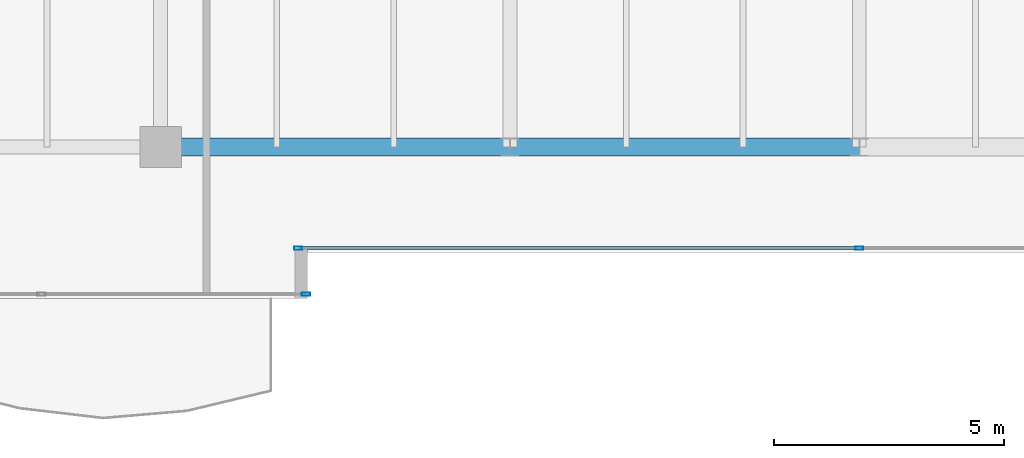
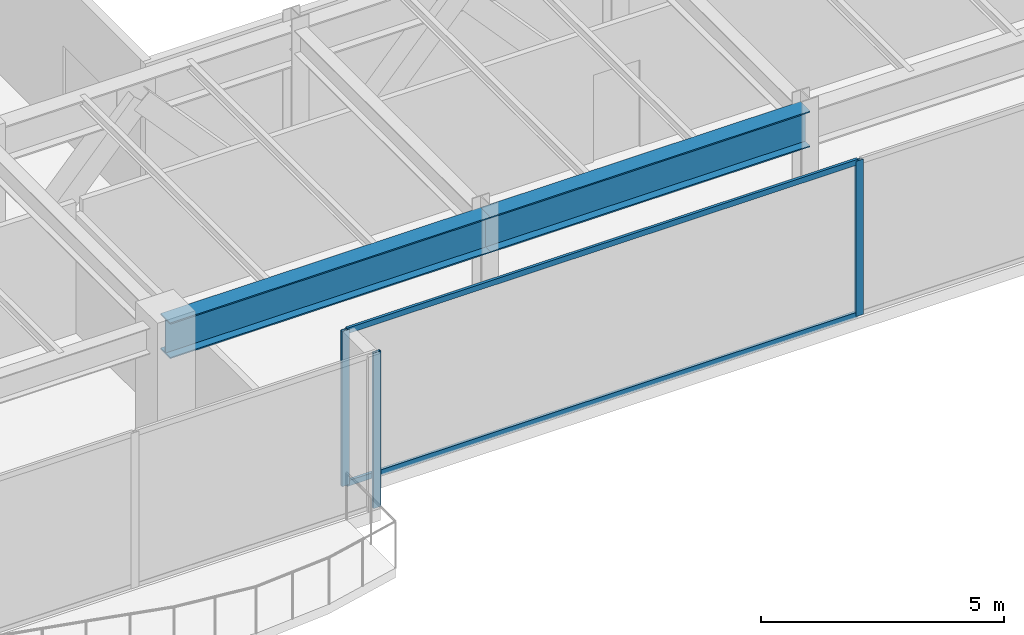
# One storey, part 6 of 31: 5 members, 2 beams, 2 elements without a shape of their own.
"""IFC4 building model written with IfcOpenShell, lengths in metres."""

from ifc_helpers import new_model, si_unit, direction, frame, origin, origin_2d, place, context, subcontext, project, spatial, hollow_rectangle, i_section, extrude, source, transform, mapped, material, layer, layer_set, material_profile, profile_set, type_object, type_shapes, element, aggregate, save


model = new_model("IFC4")

# Units and contexts
model_context = context("Model", 3, precision=1e-05, world=origin(), true_north=direction((0.0, 1.0)))
body_context = subcontext(model_context, "Body", "Model", "MODEL_VIEW")
ifc_project = project(units=[si_unit("LENGTHUNIT", "METRE"), si_unit("AREAUNIT", "SQUARE_METRE"), si_unit("VOLUMEUNIT", "CUBIC_METRE"), si_unit("PLANEANGLEUNIT", "RADIAN"), si_unit("MASSUNIT", "GRAM", prefix="KILO")], contexts=[model_context])

# Site, building, storey
site_placement = place(None, origin())
site = spatial("IfcSite", under=ifc_project, at=site_placement, CompositionType="ELEMENT")
building_placement = place(site_placement, origin())
building = spatial("IfcBuilding", under=site, at=building_placement, Name="Haelvirn Gate Laboratories", CompositionType="ELEMENT")
storey_placement = place(building_placement, frame((0.0, 0.0, 310.199951171875)))
storey = spatial("IfcBuildingStorey", under=building, at=storey_placement, Name="L74", CompositionType="ELEMENT", Elevation=310.199951171875)

# Beams
ifc_material_1 = material(Name="Steel SM420", Category="steel")
ifc_material_profile_1 = material_profile(ifc_material_1, i_section(OverallWidth=0.39990234375, OverallDepth=0.89990234375, WebThickness=0.01904296875, FlangeThickness=0.031982421875, at=origin_2d()), Name="H-900x400x19x32")
ifc_profile_set_1 = profile_set([ifc_material_profile_1], Name="Steel SM420")
beam_type = type_object("IfcBeamType", Name="BM-TG-900", PredefinedType="BEAM", material=ifc_profile_set_1)
shared_shape_1 = source(origin(), body_context, "Body", "SweptSolid", [
    extrude(i_section(OverallWidth=0.39990234375, OverallDepth=0.89990234375, WebThickness=0.01904296875, FlangeThickness=0.031982421875, at=origin_2d()), origin(), (0.0, 0.0, 1.0), 7.60009765625),
])
beam_1_placement = place(storey_placement, frame((22.199951171875, 7.0, 3.449951171875), z_axis=(1.0, 0.0, 0.0), x_axis=(0.0, 1.0, 0.0)))
element("IfcBeam", 1, at=beam_1_placement, inside=storey, type_object=beam_type, Name="L74 Primary Girder Y7.0 (22.2-29.8)", PredefinedType="BEAM", context=body_context, shape_type="MappedRepresentation", body=[
    mapped(shared_shape_1, transform((0.0, 0.0, 0.0), scale=1.0)),
])
shared_shape_2 = source(origin(), body_context, "Body", "SweptSolid", [
    extrude(i_section(OverallWidth=0.39990234375, OverallDepth=0.89990234375, WebThickness=0.01904296875, FlangeThickness=0.031982421875, at=origin_2d()), origin(), (0.0, 0.0, 1.0), 7.599853515625),
])
type_shapes(beam_type, [shared_shape_1, shared_shape_2])
beam_2_placement = place(storey_placement, frame((29.800048828125, 7.0, 3.449951171875), z_axis=(1.0, 0.0, 0.0), x_axis=(0.0, 1.0, 0.0)))
element("IfcBeam", 2, at=beam_2_placement, inside=storey, type_object=beam_type, Name="L74 Primary Girder Y7.0 (29.8-37.4)", PredefinedType="BEAM", context=body_context, shape_type="MappedRepresentation", body=[
    mapped(shared_shape_2, transform((0.0, 0.0, 0.0), scale=1.0)),
])

# Curtain wall, members
ifc_material_2 = material(Name="Anodised bronze unitised aluminium & triple low-E glass", Category="aluminium")
ifc_layer = layer(ifc_material_2, 0.176025390625, Name="CW-SYS-4")
ifc_layer_set = layer_set([ifc_layer], Name="Anodised bronze unitised aluminium & triple low-E glass")
curtain_wall_type = type_object("IfcCurtainWallType", Name="CW-SYS-4", PredefinedType="NOTDEFINED", material=ifc_layer_set)
curtain_wall_1_placement = place(storey_placement, origin())
curtain_wall_1 = element("IfcCurtainWall", 3, at=curtain_wall_1_placement, inside=storey, type_object=curtain_wall_type, Name="L74 Unitised Curtain Wall CW-L74-P0-E02-1", PredefinedType="NOTDEFINED")
ifc_material_3 = material(Name="Extruded aluminium 6063-T6 (anodised bronze)", Category="aluminium")
ifc_material_profile_2 = material_profile(ifc_material_3, hollow_rectangle(XDim=0.06494140625, YDim=0.139892578125, WallThickness=0.00390625, at=origin_2d()), Name="CWT-140x65x4")
ifc_profile_set_2 = profile_set([ifc_material_profile_2], Name="Extruded aluminium 6063-T6 (anodised bronze)")
member_type_1 = type_object("IfcMemberType", Name="CWT-T140", PredefinedType="USERDEFINED", material=ifc_profile_set_2)
shared_shape_3 = source(origin(), body_context, "Body", "SweptSolid", [
    extrude(hollow_rectangle(XDim=0.06494140625, YDim=0.139892578125, WallThickness=0.00390625, at=origin_2d()), origin(), (0.0, 0.0, 1.0), 12.135009765625),
])
type_shapes(member_type_1, [shared_shape_3])
member_1_placement = place(storey_placement, frame((25.22998046875, 4.800048828125, 0.032470703125), z_axis=(1.0, 0.0, 0.0), x_axis=(0.0, 1.0, 0.0)))
member_1 = element("IfcMember", 4, at=member_1_placement, type_object=member_type_1, Name="CW4 transom 1.1", ObjectType="TRANSOM", PredefinedType="USERDEFINED", context=body_context, shape_type="MappedRepresentation", body=[
    mapped(shared_shape_3, transform((0.0, 0.0, 0.0), scale=1.0)),
])
member_2_placement = place(storey_placement, frame((25.22998046875, 4.800048828125, 3.867431640625), z_axis=(1.0, 0.0, 0.0), x_axis=(0.0, 1.0, 0.0)))
member_2 = element("IfcMember", 5, at=member_2_placement, type_object=member_type_1, Name="CW4 transom 1.2", ObjectType="TRANSOM", PredefinedType="USERDEFINED", context=body_context, shape_type="MappedRepresentation", body=[
    mapped(shared_shape_3, transform((0.0, 0.0, 0.0), scale=1.0)),
])

# Curtain wall, member
curtain_wall_2_placement = place(storey_placement, origin())
curtain_wall_2 = element("IfcCurtainWall", 6, at=curtain_wall_2_placement, inside=storey, type_object=curtain_wall_type, Name="L74 Unitised Curtain Wall CW-L74-P0-E00-2", PredefinedType="NOTDEFINED")
ifc_material_profile_3 = material_profile(ifc_material_3, hollow_rectangle(XDim=0.070068359375, YDim=0.179931640625, WallThickness=0.0048828125, at=origin_2d()), Name="CWM-180x70x5")
ifc_profile_set_3 = profile_set([ifc_material_profile_3], Name="Extruded aluminium 6063-T6 (anodised bronze)")
member_type_2 = type_object("IfcMemberType", Name="CWM-T180", PredefinedType="MULLION", material=ifc_profile_set_3)
shared_shape_4 = source(origin(), body_context, "Body", "SweptSolid", [
    extrude(hollow_rectangle(XDim=0.070068359375, YDim=0.179931640625, WallThickness=0.0048828125, at=origin_2d()), origin(), (0.0, 0.0, 1.0), 3.900146484375),
])
type_shapes(member_type_2, [shared_shape_4])
member_3_placement = place(storey_placement, frame((25.364990234375, 3.800048828125, 0.0), z_axis=(0.0, 0.0, 1.0), x_axis=(0.0, 1.0, 0.0)))
member_3 = element("IfcMember", 7, at=member_3_placement, type_object=member_type_2, Name="CW4 mullion 3", PredefinedType="MULLION", context=body_context, shape_type="MappedRepresentation", body=[
    mapped(shared_shape_4, transform((0.0, 0.0, 0.0), scale=1.0)),
])
aggregate(curtain_wall_2, [member_3])

# Member
member_4_placement = place(storey_placement, frame((25.195068359375, 4.800048828125, 0.0), z_axis=(0.0, 0.0, 1.0), x_axis=(0.0, 1.0, 0.0)))
member_4 = element("IfcMember", 8, at=member_4_placement, type_object=member_type_2, Name="CW4 mullion 1", PredefinedType="MULLION", context=body_context, shape_type="MappedRepresentation", body=[
    mapped(shared_shape_4, transform((0.0, 0.0, 0.0), scale=1.0)),
])

member_5_placement = place(storey_placement, frame((37.39990234375, 4.800048828125, 0.0), z_axis=(0.0, 0.0, 1.0), x_axis=(0.0, 1.0, 0.0)))
member_5 = element("IfcMember", 9, at=member_5_placement, type_object=member_type_2, Name="CW4 mullion 2", PredefinedType="MULLION", context=body_context, shape_type="MappedRepresentation", body=[
    mapped(shared_shape_4, transform((0.0, 0.0, 0.0), scale=1.0)),
])

aggregate(curtain_wall_1, [member_4, member_5, member_1, member_2])

save(model, "model.ifc")
